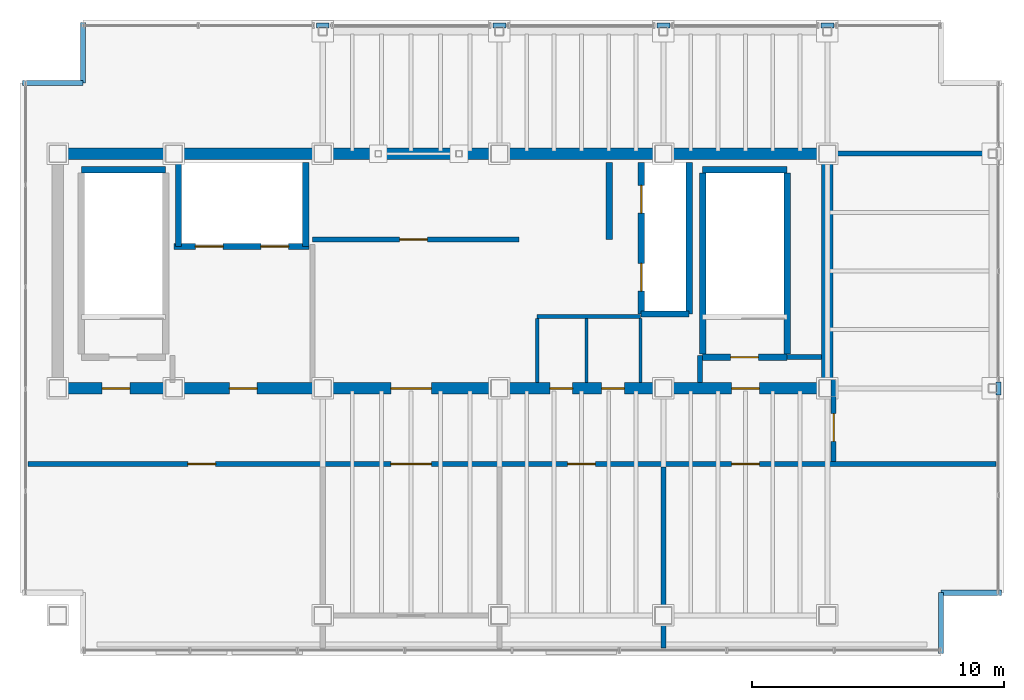
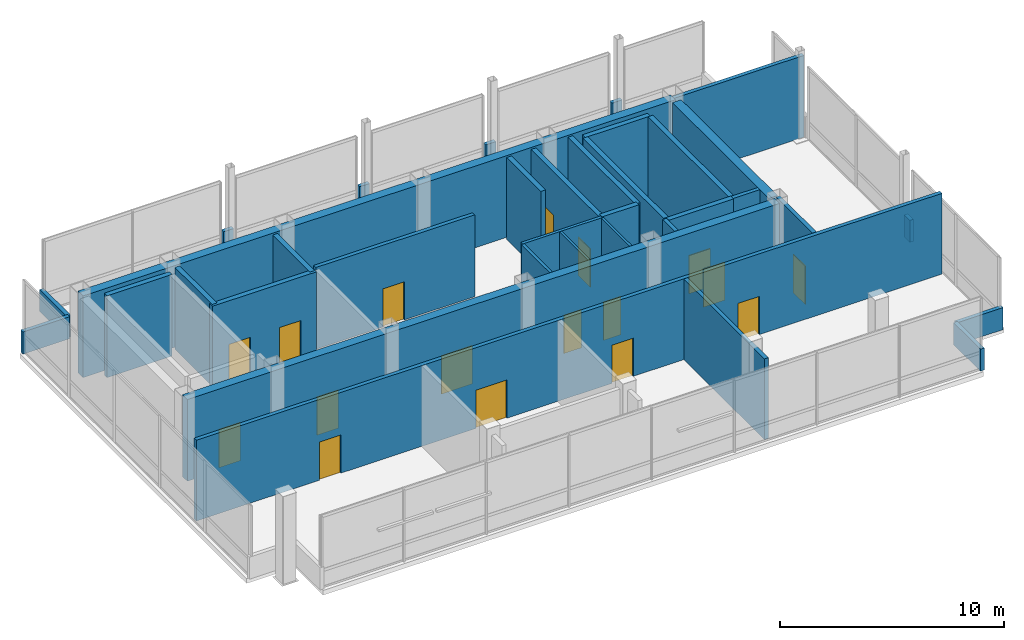
# One storey, part 18 of 20: 35 walls, 17 doors, 17 openings.
"""IFC4 building model written with IfcOpenShell, lengths in metres."""

from ifc_helpers import new_model, si_unit, direction, frame, frame_2d, origin, place, context, subcontext, project, spatial, rectangle, extrude, material, layer, layer_set, type_object, element, fill, save


model = new_model("IFC4")

# Units and contexts
model_context = context("Model", 3, precision=1e-05, world=origin(), true_north=direction((0.0, 1.0)))
body_context = subcontext(model_context, "Body", "Model", "MODEL_VIEW")
ifc_project = project(units=[si_unit("LENGTHUNIT", "METRE"), si_unit("AREAUNIT", "SQUARE_METRE"), si_unit("VOLUMEUNIT", "CUBIC_METRE"), si_unit("PLANEANGLEUNIT", "RADIAN"), si_unit("MASSUNIT", "GRAM", prefix="KILO")], contexts=[model_context])

# Site, building, storey
site_placement = place(None, origin())
site = spatial("IfcSite", under=ifc_project, at=site_placement, CompositionType="ELEMENT")
building_placement = place(site_placement, origin())
building = spatial("IfcBuilding", under=site, at=building_placement, Name="Noeulbin Bourse Tower", CompositionType="ELEMENT")
storey_placement = place(building_placement, frame((0.0, 0.0, 312.60009765625)))
storey = spatial("IfcBuildingStorey", under=building, at=storey_placement, Name="L77", CompositionType="ELEMENT", Elevation=312.60009765625)

# Wall, openings, doors
ifc_material_1 = material(Name="Concrete C50/60", Category="concrete")
ifc_layer_1 = layer(ifc_material_1, 0.449951171875)
ifc_layer_set_1 = layer_set([ifc_layer_1], Name="Concrete C50/60")
wall_type_1 = type_object("IfcWallType", Name="WAL-CORE-450", PredefinedType="SHEAR", material=ifc_layer_set_1)
wall_1_placement = place(storey_placement, frame((13.5, 29.0, 0.0), z_axis=(0.0, 0.0, 1.0), x_axis=(1.0, 0.0, 0.0)))
wall_1 = element("IfcWall", 1, at=wall_1_placement, inside=storey, type_object=wall_type_1, Name="Rear Core South Shear Wall L77", PredefinedType="SHEAR", context=body_context, shape_type="SweptSolid", body=[
    extrude(rectangle(XDim=30.5, YDim=0.449951171875, at=frame_2d((15.25, 0.0))), origin(), (0.0, 0.0, 1.0), 4.449951171875),
])
opening_1_placement = place(wall_1_placement, frame((1.75, 0.0, 0.0)))
opening_1 = element("IfcOpeningElement", 2, at=opening_1_placement, cuts=wall_1, Name="Opening FD-11", PredefinedType="OPENING", context=body_context, shape_type="SweptSolid", body=[
    extrude(rectangle(XDim=1.10009765625, YDim=2.080078125, at=frame_2d((0.550048828125, 1.0400390625))), frame((0.0, 0.23486328125, 0.0), z_axis=(0.0, -1.0, 0.0), x_axis=(1.0, 0.0, 0.0)), (0.0, 0.0, 1.0), 0.469970703125),
])
opening_2_placement = place(wall_1_placement, frame((26.699951171875, 0.0, 0.0)))
opening_2 = element("IfcOpeningElement", 3, at=opening_2_placement, cuts=wall_1, Name="Opening FD-11", PredefinedType="OPENING", context=body_context, shape_type="SweptSolid", body=[
    extrude(rectangle(XDim=1.10009765625, YDim=2.080078125, at=frame_2d((0.550048828125, 1.0400390625))), frame((0.0, 0.23486328125, 0.0), z_axis=(0.0, -1.0, 0.0), x_axis=(1.0, 0.0, 0.0)), (0.0, 0.0, 1.0), 0.469970703125),
])
opening_3_placement = place(wall_1_placement, frame((6.800048828125, 0.0, 0.0)))
opening_3 = element("IfcOpeningElement", 4, at=opening_3_placement, cuts=wall_1, Name="Opening FD-11", PredefinedType="OPENING", context=body_context, shape_type="SweptSolid", body=[
    extrude(rectangle(XDim=1.10009765625, YDim=2.080078125, at=frame_2d((0.550048828125, 1.0400390625))), frame((0.0, 0.23486328125, 0.0), z_axis=(0.0, -1.0, 0.0), x_axis=(1.0, 0.0, 0.0)), (0.0, 0.0, 1.0), 0.469970703125),
])
opening_4_placement = place(wall_1_placement, frame((13.199951171875, 0.0, 0.0)))
opening_4 = element("IfcOpeningElement", 5, at=opening_4_placement, cuts=wall_1, Name="Opening ID-16", PredefinedType="OPENING", context=body_context, shape_type="SweptSolid", body=[
    extrude(rectangle(XDim=1.60009765625, YDim=2.080078125, at=frame_2d((0.800048828125, 1.0400390625))), frame((0.0, 0.23486328125, 0.0), z_axis=(0.0, -1.0, 0.0), x_axis=(1.0, 0.0, 0.0)), (0.0, 0.0, 1.0), 0.469970703125),
])
opening_5_placement = place(wall_1_placement, frame((19.5, 0.0, 0.0)))
opening_5 = element("IfcOpeningElement", 6, at=opening_5_placement, cuts=wall_1, Name="Opening FD-09", PredefinedType="OPENING", context=body_context, shape_type="SweptSolid", body=[
    extrude(rectangle(XDim=0.89990234375, YDim=2.080078125, at=frame_2d((0.449951171875, 1.0400390625))), frame((0.0, 0.23486328125, 0.0), z_axis=(0.0, -1.0, 0.0), x_axis=(1.0, 0.0, 0.0)), (0.0, 0.0, 1.0), 0.469970703125),
])
opening_6_placement = place(wall_1_placement, frame((21.550048828125, 0.0, 0.0)))
opening_6 = element("IfcOpeningElement", 7, at=opening_6_placement, cuts=wall_1, Name="Opening FD-09", PredefinedType="OPENING", context=body_context, shape_type="SweptSolid", body=[
    extrude(rectangle(XDim=0.89990234375, YDim=2.080078125, at=frame_2d((0.449951171875, 1.0400390625))), frame((0.0, 0.23486328125, 0.0), z_axis=(0.0, -1.0, 0.0), x_axis=(1.0, 0.0, 0.0)), (0.0, 0.0, 1.0), 0.469970703125),
])
ifc_material_2 = material(Name="Acoustic Glazed Aluminium", Category="aluminium")
door_type_1 = type_object("IfcDoorType", Name="DR-DBL-1600", OperationType="DOUBLE_DOOR_SINGLE_SWING", PredefinedType="DOOR", material=ifc_material_2)
door_1_placement = place(opening_4_placement, origin())
door_1 = element("IfcDoor", 8, at=door_1_placement, inside=storey, type_object=door_type_1, Name="Passenger Lift Lobby Portal L77", OperationType="DOUBLE_DOOR_SINGLE_SWING", OverallHeight=2.080078125, OverallWidth=1.60009765625, PredefinedType="DOOR", context=body_context, shape_type="SweptSolid", body=[
    extrude(rectangle(XDim=1.60009765625, YDim=2.080078125, at=frame_2d((0.800048828125, 1.0400390625))), frame((0.0, 0.02490234375, 0.0), z_axis=(0.0, -1.0, 0.0), x_axis=(1.0, 0.0, 0.0)), (0.0, 0.0, 1.0), 0.050048828125),
])
fill(opening_4, door_1)
ifc_material_3 = material(Name="Fire-Rated Timber Core", Category="wood")
door_type_2 = type_object("IfcDoorType", Name="DR-FD30-900", OperationType="SINGLE_SWING_RIGHT", PredefinedType="DOOR", material=ifc_material_3)
door_2_placement = place(opening_5_placement, origin())
door_2 = element("IfcDoor", 9, at=door_2_placement, inside=storey, type_object=door_type_2, Name="Interior Door L77-06", OperationType="SINGLE_SWING_LEFT", OverallHeight=2.080078125, OverallWidth=0.89990234375, PredefinedType="DOOR", context=body_context, shape_type="SweptSolid", body=[
    extrude(rectangle(XDim=0.89990234375, YDim=2.080078125, at=frame_2d((0.449951171875, 1.0400390625))), frame((0.0, 0.02490234375, 0.0), z_axis=(0.0, -1.0, 0.0), x_axis=(1.0, 0.0, 0.0)), (0.0, 0.0, 1.0), 0.050048828125),
])
fill(opening_5, door_2)
door_3_placement = place(opening_6_placement, origin())
door_3 = element("IfcDoor", 10, at=door_3_placement, inside=storey, type_object=door_type_2, Name="Interior Door L77-07", OperationType="SINGLE_SWING_RIGHT", OverallHeight=2.080078125, OverallWidth=0.89990234375, PredefinedType="DOOR", context=body_context, shape_type="SweptSolid", body=[
    extrude(rectangle(XDim=0.89990234375, YDim=2.080078125, at=frame_2d((0.449951171875, 1.0400390625))), frame((0.0, 0.02490234375, 0.0), z_axis=(0.0, -1.0, 0.0), x_axis=(1.0, 0.0, 0.0)), (0.0, 0.0, 1.0), 0.050048828125),
])
fill(opening_6, door_3)
ifc_material_4 = material(Name="Fire-Rated Insulated Steel", Category="steel")
door_type_3 = type_object("IfcDoorType", Name="DR-FD60-1100", OperationType="SINGLE_SWING_LEFT", PredefinedType="DOOR", material=ifc_material_4)
door_4_placement = place(opening_1_placement, origin())
door_4 = element("IfcDoor", 11, at=door_4_placement, inside=storey, type_object=door_type_3, Name="West Stair Lobby Door L77", OperationType="SINGLE_SWING_RIGHT", OverallHeight=2.080078125, OverallWidth=1.10009765625, PredefinedType="DOOR", context=body_context, shape_type="SweptSolid", body=[
    extrude(rectangle(XDim=1.10009765625, YDim=2.080078125, at=frame_2d((0.550048828125, 1.0400390625))), frame((0.0, 0.02490234375, 0.0), z_axis=(0.0, -1.0, 0.0), x_axis=(1.0, 0.0, 0.0)), (0.0, 0.0, 1.0), 0.050048828125),
])
fill(opening_1, door_4)
door_5_placement = place(opening_2_placement, origin())
door_5 = element("IfcDoor", 12, at=door_5_placement, inside=storey, type_object=door_type_3, Name="East Stair Lobby Door L77", OperationType="SINGLE_SWING_LEFT", OverallHeight=2.080078125, OverallWidth=1.10009765625, PredefinedType="DOOR", context=body_context, shape_type="SweptSolid", body=[
    extrude(rectangle(XDim=1.10009765625, YDim=2.080078125, at=frame_2d((0.550048828125, 1.0400390625))), frame((0.0, 0.02490234375, 0.0), z_axis=(0.0, -1.0, 0.0), x_axis=(1.0, 0.0, 0.0)), (0.0, 0.0, 1.0), 0.050048828125),
])
fill(opening_2, door_5)
door_6_placement = place(opening_3_placement, origin())
door_6 = element("IfcDoor", 13, at=door_6_placement, inside=storey, type_object=door_type_3, Name="Firefighting Lobby Door L77", OperationType="SINGLE_SWING_RIGHT", OverallHeight=2.080078125, OverallWidth=1.10009765625, PredefinedType="DOOR", context=body_context, shape_type="SweptSolid", body=[
    extrude(rectangle(XDim=1.10009765625, YDim=2.080078125, at=frame_2d((0.550048828125, 1.0400390625))), frame((0.0, 0.02490234375, 0.0), z_axis=(0.0, -1.0, 0.0), x_axis=(1.0, 0.0, 0.0)), (0.0, 0.0, 1.0), 0.050048828125),
])
fill(opening_3, door_6)

# Walls
wall_2_placement = place(storey_placement, frame((13.5, 38.300048828125, 0.0), z_axis=(0.0, 0.0, 1.0), x_axis=(1.0, 0.0, 0.0)))
element("IfcWall", 14, at=wall_2_placement, inside=storey, type_object=wall_type_1, Name="Rear Core North Shear Wall L77", PredefinedType="SHEAR", context=body_context, shape_type="SweptSolid", body=[
    extrude(rectangle(XDim=30.5, YDim=0.449951171875, at=frame_2d((15.25, 0.0))), origin(), (0.0, 0.0, 1.0), 4.449951171875),
])
wall_3_placement = place(storey_placement, frame((44.0, 29.35009765625, 0.0), z_axis=(0.0, 0.0, 1.0), x_axis=(0.0, 1.0, 0.0)))
element("IfcWall", 15, at=wall_3_placement, inside=storey, type_object=wall_type_1, Name="Rear Core East Shear Wall L77", PredefinedType="SHEAR", context=body_context, shape_type="SweptSolid", body=[
    extrude(rectangle(XDim=8.599853515625, YDim=0.449951171875, at=frame_2d((4.2998046875, 0.0))), origin(), (0.0, 0.0, 1.0), 4.449951171875),
])
ifc_material_5 = material(Name="Concrete C40/50", Category="concrete")
ifc_layer_2 = layer(ifc_material_5, 0.199951171875)
ifc_layer_set_2 = layer_set([ifc_layer_2], Name="Concrete C40/50")
wall_type_2 = type_object("IfcWallType", Name="WAL-FIRE-200", PredefinedType="STANDARD", material=ifc_layer_set_2)
wall_4_placement = place(storey_placement, frame((42.39990234375, 30.239990234375, 0.0), z_axis=(0.0, 0.0, 1.0), x_axis=(1.0, 0.0, 0.0)))
element("IfcWall", 16, at=wall_4_placement, inside=storey, type_object=wall_type_2, Name="Interior Partition Wall L77-01", PredefinedType="STANDARD", context=body_context, shape_type="SweptSolid", body=[
    extrude(rectangle(XDim=1.364990234375, YDim=0.199951171875, at=frame_2d((0.6826171875, 0.0))), origin(), (0.0, 0.0, 1.0), 4.449951171875),
])

# Wall, opening, door
wall_5_placement = place(storey_placement, frame((23.60009765625, 34.89990234375, 0.0), z_axis=(0.0, 0.0, 1.0), x_axis=(1.0, 0.0, 0.0)))
wall_5 = element("IfcWall", 17, at=wall_5_placement, inside=storey, type_object=wall_type_2, Name="Interior Partition Wall L77-02", PredefinedType="STANDARD", context=body_context, shape_type="SweptSolid", body=[
    extrude(rectangle(XDim=8.179931640625, YDim=0.199951171875, at=frame_2d((4.08984375, 0.0))), origin(), (0.0, 0.0, 1.0), 4.449951171875),
])
opening_7_placement = place(wall_5_placement, frame((3.449951171875, 0.0, 0.0)))
opening_7 = element("IfcOpeningElement", 18, at=opening_7_placement, cuts=wall_5, Name="Opening FD-11", PredefinedType="OPENING", context=body_context, shape_type="SweptSolid", body=[
    extrude(rectangle(XDim=1.10009765625, YDim=2.080078125, at=frame_2d((0.550048828125, 1.0400390625))), frame((0.0, 0.10986328125, 0.0), z_axis=(0.0, -1.0, 0.0), x_axis=(1.0, 0.0, 0.0)), (0.0, 0.0, 1.0), 0.219970703125),
])
door_7_placement = place(opening_7_placement, origin())
door_7 = element("IfcDoor", 19, at=door_7_placement, inside=storey, type_object=door_type_3, Name="Telemetry Server Door L77", OperationType="SINGLE_SWING_RIGHT", OverallHeight=2.080078125, OverallWidth=1.10009765625, PredefinedType="DOOR", context=body_context, shape_type="SweptSolid", body=[
    extrude(rectangle(XDim=1.10009765625, YDim=2.080078125, at=frame_2d((0.550048828125, 1.0400390625))), frame((0.0, 0.02490234375, 0.0), z_axis=(0.0, -1.0, 0.0), x_axis=(1.0, 0.0, 0.0)), (0.0, 0.0, 1.0), 0.050048828125),
])
fill(opening_7, door_7)

# Wall, openings, doors
wall_6_placement = place(storey_placement, frame((12.31005859375, 26.0, 0.0), z_axis=(0.0, 0.0, 1.0), x_axis=(1.0, 0.0, 0.0)))
wall_6 = element("IfcWall", 20, at=wall_6_placement, inside=storey, type_object=wall_type_2, Name="Interior Partition Wall L77-04", PredefinedType="STANDARD", context=body_context, shape_type="SweptSolid", body=[
    extrude(rectangle(XDim=38.3798828125, YDim=0.199951171875, at=frame_2d((19.18994140625, 0.0))), origin(), (0.0, 0.0, 1.0), 4.396484375),
])
opening_8_placement = place(wall_6_placement, frame((6.340087890625, 0.0, 0.0)))
opening_8 = element("IfcOpeningElement", 21, at=opening_8_placement, cuts=wall_6, Name="Opening FD-11", PredefinedType="OPENING", context=body_context, shape_type="SweptSolid", body=[
    extrude(rectangle(XDim=1.10009765625, YDim=2.080078125, at=frame_2d((0.550048828125, 1.0400390625))), frame((0.0, 0.10986328125, 0.0), z_axis=(0.0, -1.0, 0.0), x_axis=(1.0, 0.0, 0.0)), (0.0, 0.0, 1.0), 0.219970703125),
])
opening_9_placement = place(wall_6_placement, frame((14.389892578125, 0.0, 0.0)))
opening_9 = element("IfcOpeningElement", 22, at=opening_9_placement, cuts=wall_6, Name="Opening ID-16", PredefinedType="OPENING", context=body_context, shape_type="SweptSolid", body=[
    extrude(rectangle(XDim=1.60009765625, YDim=2.080078125, at=frame_2d((0.800048828125, 1.0400390625))), frame((0.0, 0.10986328125, 0.0), z_axis=(0.0, -1.0, 0.0), x_axis=(1.0, 0.0, 0.0)), (0.0, 0.0, 1.0), 0.219970703125),
])
opening_10_placement = place(wall_6_placement, frame((21.389892578125, 0.0, 0.0)))
opening_10 = element("IfcOpeningElement", 23, at=opening_10_placement, cuts=wall_6, Name="Opening FD-11", PredefinedType="OPENING", context=body_context, shape_type="SweptSolid", body=[
    extrude(rectangle(XDim=1.10009765625, YDim=2.080078125, at=frame_2d((0.550048828125, 1.0400390625))), frame((0.0, 0.10986328125, 0.0), z_axis=(0.0, -1.0, 0.0), x_axis=(1.0, 0.0, 0.0)), (0.0, 0.0, 1.0), 0.219970703125),
])
opening_11_placement = place(wall_6_placement, frame((27.889892578125, 0.0, 0.0)))
opening_11 = element("IfcOpeningElement", 24, at=opening_11_placement, cuts=wall_6, Name="Opening FD-11", PredefinedType="OPENING", context=body_context, shape_type="SweptSolid", body=[
    extrude(rectangle(XDim=1.10009765625, YDim=2.080078125, at=frame_2d((0.550048828125, 1.0400390625))), frame((0.0, 0.10986328125, 0.0), z_axis=(0.0, -1.0, 0.0), x_axis=(1.0, 0.0, 0.0)), (0.0, 0.0, 1.0), 0.219970703125),
])
door_8_placement = place(opening_9_placement, origin())
door_8 = element("IfcDoor", 25, at=door_8_placement, inside=storey, type_object=door_type_1, Name="Interior Door L77-10", OperationType="DOUBLE_DOOR_SINGLE_SWING", OverallHeight=2.080078125, OverallWidth=1.60009765625, PredefinedType="DOOR", context=body_context, shape_type="SweptSolid", body=[
    extrude(rectangle(XDim=1.60009765625, YDim=2.080078125, at=frame_2d((0.800048828125, 1.0400390625))), frame((0.0, 0.02490234375, 0.0), z_axis=(0.0, -1.0, 0.0), x_axis=(1.0, 0.0, 0.0)), (0.0, 0.0, 1.0), 0.050048828125),
])
fill(opening_9, door_8)
door_9_placement = place(opening_8_placement, origin())
door_9 = element("IfcDoor", 26, at=door_9_placement, inside=storey, type_object=door_type_3, Name="Interior Door L77-09", OperationType="SINGLE_SWING_RIGHT", OverallHeight=2.080078125, OverallWidth=1.10009765625, PredefinedType="DOOR", context=body_context, shape_type="SweptSolid", body=[
    extrude(rectangle(XDim=1.10009765625, YDim=2.080078125, at=frame_2d((0.550048828125, 1.0400390625))), frame((0.0, 0.02490234375, 0.0), z_axis=(0.0, -1.0, 0.0), x_axis=(1.0, 0.0, 0.0)), (0.0, 0.0, 1.0), 0.050048828125),
])
fill(opening_8, door_9)
door_10_placement = place(opening_10_placement, origin())
door_10 = element("IfcDoor", 27, at=door_10_placement, inside=storey, type_object=door_type_3, Name="Interior Door L77-11", OperationType="SINGLE_SWING_RIGHT", OverallHeight=2.080078125, OverallWidth=1.10009765625, PredefinedType="DOOR", context=body_context, shape_type="SweptSolid", body=[
    extrude(rectangle(XDim=1.10009765625, YDim=2.080078125, at=frame_2d((0.550048828125, 1.0400390625))), frame((0.0, 0.02490234375, 0.0), z_axis=(0.0, -1.0, 0.0), x_axis=(1.0, 0.0, 0.0)), (0.0, 0.0, 1.0), 0.050048828125),
])
fill(opening_10, door_10)
door_11_placement = place(opening_11_placement, origin())
door_11 = element("IfcDoor", 28, at=door_11_placement, inside=storey, type_object=door_type_3, Name="Interior Door L77-12", OperationType="SINGLE_SWING_LEFT", OverallHeight=2.080078125, OverallWidth=1.10009765625, PredefinedType="DOOR", context=body_context, shape_type="SweptSolid", body=[
    extrude(rectangle(XDim=1.10009765625, YDim=2.080078125, at=frame_2d((0.550048828125, 1.0400390625))), frame((0.0, 0.02490234375, 0.0), z_axis=(0.0, -1.0, 0.0), x_axis=(1.0, 0.0, 0.0)), (0.0, 0.0, 1.0), 0.050048828125),
])
fill(opening_11, door_11)

# Walls
wall_7_placement = place(storey_placement, frame((44.0, 38.300048828125, 0.0), z_axis=(0.0, 0.0, 1.0), x_axis=(1.0, 0.0, 0.0)))
element("IfcWall", 29, at=wall_7_placement, inside=storey, type_object=wall_type_2, Name="Interior Partition Wall L77-05", PredefinedType="STANDARD", context=body_context, shape_type="SweptSolid", body=[
    extrude(rectangle(XDim=6.68994140625, YDim=0.199951171875, at=frame_2d((3.344970703125, 0.0))), origin(), (0.0, 0.0, 1.0), 4.449951171875),
])
wall_8_placement = place(storey_placement, frame((38.949951171875, 29.235107421875, 0.0), z_axis=(0.0, 0.0, 1.0), x_axis=(0.0, 1.0, 0.0)))
element("IfcWall", 30, at=wall_8_placement, inside=storey, type_object=wall_type_2, Name="Interior Partition Wall L77-08", PredefinedType="STANDARD", context=body_context, shape_type="SweptSolid", body=[
    extrude(rectangle(XDim=1.06494140625, YDim=0.199951171875, at=frame_2d((0.532470703125, 0.0))), origin(), (0.0, 0.0, 1.0), 4.449951171875),
])

# Wall, opening, door
wall_9_placement = place(storey_placement, frame((44.25, 26.110107421875, 0.0), z_axis=(0.0, 0.0, 1.0), x_axis=(0.0, 1.0, 0.0)))
wall_9 = element("IfcWall", 31, at=wall_9_placement, inside=storey, type_object=wall_type_2, Name="Interior Partition Wall L77-13", PredefinedType="STANDARD", context=body_context, shape_type="SweptSolid", body=[
    extrude(rectangle(XDim=3.239990234375, YDim=0.199951171875, at=frame_2d((1.6201171875, 0.0))), origin(), (0.0, 0.0, 1.0), 4.396484375),
])
opening_12_placement = place(wall_9_placement, frame((0.7900390625, 0.0, 0.0)))
opening_12 = element("IfcOpeningElement", 32, at=opening_12_placement, cuts=wall_9, Name="Opening FD-11", PredefinedType="OPENING", context=body_context, shape_type="SweptSolid", body=[
    extrude(rectangle(XDim=1.10009765625, YDim=2.080078125, at=frame_2d((0.550048828125, 1.0400390625))), frame((0.0, 0.10986328125, 0.0), z_axis=(0.0, -1.0, 0.0), x_axis=(1.0, 0.0, 0.0)), (0.0, 0.0, 1.0), 0.219970703125),
])
door_12_placement = place(opening_12_placement, origin())
door_12 = element("IfcDoor", 33, at=door_12_placement, inside=storey, type_object=door_type_3, Name="Interior Door L77-08", OperationType="SINGLE_SWING_LEFT", OverallHeight=2.080078125, OverallWidth=1.10009765625, PredefinedType="DOOR", context=body_context, shape_type="SweptSolid", body=[
    extrude(rectangle(XDim=1.10009765625, YDim=2.080078125, at=frame_2d((0.550048828125, 1.0400390625))), frame((0.0, 0.02490234375, 0.0), z_axis=(0.0, -1.0, 0.0), x_axis=(1.0, 0.0, 0.0)), (0.0, 0.0, 1.0), 0.050048828125),
])
fill(opening_12, door_12)

# Walls
wall_10_placement = place(storey_placement, frame((37.5, 18.7099609375, 0.0), z_axis=(0.0, 0.0, 1.0), x_axis=(0.0, 1.0, 0.0)))
element("IfcWall", 34, at=wall_10_placement, inside=storey, type_object=wall_type_2, Name="Interior Partition Wall L77-16", PredefinedType="STANDARD", context=body_context, shape_type="SweptSolid", body=[
    extrude(rectangle(XDim=7.179931640625, YDim=0.199951171875, at=frame_2d((3.58984375, 0.0))), origin(), (0.0, 0.0, 1.0), 4.396484375),
])
ifc_layer_3 = layer(ifc_material_5, 0.199951171875)
ifc_layer_set_3 = layer_set([ifc_layer_3], Name="Concrete C40/50")
wall_type_3 = type_object("IfcWallType", Name="WAL-PAR-200", PredefinedType="PARAPET", material=ifc_layer_set_3)
for number, where, z_axis, x_axis, name in (
    (35, (23.7451171875, 43.3798828125, 0.0), (0.0, 0.0, 1.0), (1.0, 0.0, 0.0), "Perimeter Pier Spandrel Parapet L77-N1"),
    (36, (30.7451171875, 43.3798828125, 0.0), (0.0, 0.0, 1.0), (1.0, 0.0, 0.0), "Perimeter Pier Spandrel Parapet L77-N2"),
    (37, (37.2451171875, 43.3798828125, 0.0), (0.0, 0.0, 1.0), (1.0, 0.0, 0.0), "Perimeter Pier Spandrel Parapet L77-N3"),
    (38, (43.7451171875, 43.3798828125, 0.0), (0.0, 0.0, 1.0), (1.0, 0.0, 0.0), "Perimeter Pier Spandrel Parapet L77-N4"),
    (39, (50.780029296875, 28.7451171875, 0.0), (0.0, 0.0, 1.0), (0.0, 1.0, 0.0), "Perimeter Pier Spandrel Parapet L77-E5"),
):
    element("IfcWall", number, at=place(storey_placement, frame(where, z_axis=z_axis, x_axis=x_axis)), inside=storey, type_object=wall_type_3, Name=name, PredefinedType="PARAPET", context=body_context, shape_type="SweptSolid", body=[
        extrude(rectangle(XDim=0.509765625, YDim=0.199951171875, at=frame_2d((0.2548828125, 0.0))), origin(), (0.0, 0.0, 1.0), 1.199951171875),
    ])
for number, where, z_axis, x_axis, name in (
    (40, (48.5, 18.5, 0.0), (0.0, 0.0, 1.0), (0.0, 1.0, 0.0), "Corner Notch Parapet L77-SE1"),
    (41, (48.5, 20.89990234375, 0.0), (0.0, 0.0, 1.0), (1.0, 0.0, 0.0), "Corner Notch Parapet L77-SE2"),
    (42, (12.10009765625, 41.10009765625, 0.0), (0.0, 0.0, 1.0), (1.0, 0.0, 0.0), "Corner Notch Parapet L77-NW1"),
    (43, (14.5, 41.10009765625, 0.0), (0.0, 0.0, 1.0), (0.0, 1.0, 0.0), "Corner Notch Parapet L77-NW2"),
):
    element("IfcWall", number, at=place(storey_placement, frame(where, z_axis=z_axis, x_axis=x_axis)), inside=storey, type_object=wall_type_3, Name=name, PredefinedType="PARAPET", context=body_context, shape_type="SweptSolid", body=[
        extrude(rectangle(XDim=2.39990234375, YDim=0.199951171875, at=frame_2d((1.199951171875, 0.0))), origin(), (0.0, 0.0, 1.0), 1.199951171875),
    ])
ifc_material_6 = material(Name="Steel Stud Gypsum Partition", Category="steel")
ifc_layer_4 = layer(ifc_material_6, 0.1201171875)
ifc_layer_set_4 = layer_set([ifc_layer_4], Name="Steel Stud Gypsum Partition")
wall_type_4 = type_object("IfcWallType", Name="WAL-PRT-120", PredefinedType="PARTITIONING", material=ifc_layer_set_4)
for number, where, z_axis, x_axis, name in (
    (44, (36.60009765625, 29.235107421875, 0.0), (0.0, 0.0, 1.0), (0.0, 1.0, 0.0), "Interior Partition Wall L77-11"),
    (45, (34.449951171875, 29.235107421875, 0.0), (0.0, 0.0, 1.0), (0.0, 1.0, 0.0), "Interior Partition Wall L77-12"),
):
    element("IfcWall", number, at=place(storey_placement, frame(where, z_axis=z_axis, x_axis=x_axis)), inside=storey, type_object=wall_type_4, Name=name, PredefinedType="PARTITIONING", context=body_context, shape_type="SweptSolid", body=[
        extrude(rectangle(XDim=2.52978515625, YDim=0.1201171875, at=frame_2d((1.264892578125, 0.0))), origin(), (0.0, 0.0, 1.0), 4.449951171875),
    ])
ifc_material_7 = material(Name="Steel Stud Acoustic Gypsum Board", Category="steel")
ifc_layer_5 = layer(ifc_material_7, 0.14990234375)
ifc_layer_set_5 = layer_set([ifc_layer_5], Name="Steel Stud Acoustic Gypsum Board")
wall_type_5 = type_object("IfcWallType", Name="WAL-PRT-150", PredefinedType="PARTITIONING", material=ifc_layer_set_5)
wall_11_placement = place(storey_placement, frame((32.5, 31.85009765625, 0.0), z_axis=(0.0, 0.0, 1.0), x_axis=(1.0, 0.0, 0.0)))
element("IfcWall", 46, at=wall_11_placement, inside=storey, type_object=wall_type_5, Name="Interior Partition Wall L77-03", PredefinedType="PARTITIONING", context=body_context, shape_type="SweptSolid", body=[
    extrude(rectangle(XDim=4.10009765625, YDim=0.14990234375, at=frame_2d((2.050048828125, 0.0))), origin(), (0.0, 0.0, 1.0), 4.449951171875),
])
wall_12_placement = place(storey_placement, frame((32.5, 29.235107421875, 0.0), z_axis=(0.0, 0.0, 1.0), x_axis=(0.0, 1.0, 0.0)))
element("IfcWall", 47, at=wall_12_placement, inside=storey, type_object=wall_type_5, Name="Interior Partition Wall L77-10", PredefinedType="PARTITIONING", context=body_context, shape_type="SweptSolid", body=[
    extrude(rectangle(XDim=2.52978515625, YDim=0.14990234375, at=frame_2d((1.264892578125, 0.0))), origin(), (0.0, 0.0, 1.0), 4.449951171875),
])
ifc_layer_6 = layer(ifc_material_5, 0.25)
ifc_layer_set_6 = layer_set([ifc_layer_6], Name="Concrete C40/50")
wall_type_6 = type_object("IfcWallType", Name="WAL-SHFT-250", PredefinedType="STANDARD", material=ifc_layer_set_6)
wall_13_placement = place(storey_placement, frame((14.429931640625, 37.6689453125, 0.0), z_axis=(0.0, 0.0, 1.0), x_axis=(1.0, 0.0, 0.0)))
element("IfcWall", 48, at=wall_13_placement, inside=storey, type_object=wall_type_6, Name="Stair ST-1 North Shaft Wall L77", PredefinedType="STANDARD", context=body_context, shape_type="SweptSolid", body=[
    extrude(rectangle(XDim=3.340087890625, YDim=0.25, at=frame_2d((1.669921875, 0.0))), origin(), (0.0, 0.0, 1.0), 4.449951171875),
])

# Wall, opening, door
wall_14_placement = place(storey_placement, frame((39.06005859375, 30.235107421875, 0.0), z_axis=(0.0, 0.0, 1.0), x_axis=(1.0, 0.0, 0.0)))
wall_14 = element("IfcWall", 49, at=wall_14_placement, inside=storey, type_object=wall_type_6, Name="Stair ST-2 South Shaft Wall L77", PredefinedType="STANDARD", context=body_context, shape_type="SweptSolid", body=[
    extrude(rectangle(XDim=3.33984375, YDim=0.25, at=frame_2d((1.669921875, 0.0))), origin(), (0.0, 0.0, 1.0), 4.449951171875),
])
opening_13_placement = place(wall_14_placement, frame((1.10009765625, 0.0, 0.0)))
opening_13 = element("IfcOpeningElement", 50, at=opening_13_placement, cuts=wall_14, Name="Opening FD-11", PredefinedType="OPENING", context=body_context, shape_type="SweptSolid", body=[
    extrude(rectangle(XDim=1.10009765625, YDim=2.080078125, at=frame_2d((0.550048828125, 1.0400390625))), frame((0.0, 0.135009765625, 0.0), z_axis=(0.0, -1.0, 0.0), x_axis=(1.0, 0.0, 0.0)), (0.0, 0.0, 1.0), 0.27001953125),
])
door_13_placement = place(opening_13_placement, origin())
door_13 = element("IfcDoor", 51, at=door_13_placement, inside=storey, type_object=door_type_3, Name="Protected Stair Entry Door ST2-L77", OperationType="SINGLE_SWING_LEFT", OverallHeight=2.080078125, OverallWidth=1.10009765625, PredefinedType="DOOR", context=body_context, shape_type="SweptSolid", body=[
    extrude(rectangle(XDim=1.10009765625, YDim=2.080078125, at=frame_2d((0.550048828125, 1.0400390625))), frame((0.0, 0.02490234375, 0.0), z_axis=(0.0, -1.0, 0.0), x_axis=(1.0, 0.0, 0.0)), (0.0, 0.0, 1.0), 0.050048828125),
])
fill(opening_13, door_13)

# Walls
wall_15_placement = place(storey_placement, frame((39.06005859375, 37.6689453125, 0.0), z_axis=(0.0, 0.0, 1.0), x_axis=(1.0, 0.0, 0.0)))
element("IfcWall", 52, at=wall_15_placement, inside=storey, type_object=wall_type_6, Name="Stair ST-2 North Shaft Wall L77", PredefinedType="STANDARD", context=body_context, shape_type="SweptSolid", body=[
    extrude(rectangle(XDim=3.33984375, YDim=0.25, at=frame_2d((1.669921875, 0.0))), origin(), (0.0, 0.0, 1.0), 4.449951171875),
])
for number, where, z_axis, x_axis, name in (
    (53, (39.054931640625, 30.360107421875, 0.0), (0.0, 0.0, 1.0), (0.0, 1.0, 0.0), "Stair ST-2 West Shaft Wall L77"),
    (54, (42.405029296875, 30.360107421875, 0.0), (0.0, 0.0, 1.0), (0.0, 1.0, 0.0), "Stair ST-2 East Shaft Wall L77"),
):
    element("IfcWall", number, at=place(storey_placement, frame(where, z_axis=z_axis, x_axis=x_axis)), inside=storey, type_object=wall_type_6, Name=name, PredefinedType="STANDARD", context=body_context, shape_type="SweptSolid", body=[
        extrude(rectangle(XDim=7.183837890625, YDim=0.25, at=frame_2d((3.591796875, 0.0))), origin(), (0.0, 0.0, 1.0), 4.449951171875),
    ])

# Wall, openings, doors
wall_16_placement = place(storey_placement, frame((18.10009765625, 34.6201171875, 0.0), z_axis=(0.0, 0.0, 1.0), x_axis=(1.0, 0.0, 0.0)))
wall_16 = element("IfcWall", 55, at=wall_16_placement, inside=storey, type_object=wall_type_6, Name="Firefighting Lift Shaft Front L77", PredefinedType="STANDARD", context=body_context, shape_type="SweptSolid", body=[
    extrude(rectangle(XDim=5.349853515625, YDim=0.25, at=frame_2d((2.6748046875, 0.0))), origin(), (0.0, 0.0, 1.0), 4.449951171875),
])
opening_14_placement = place(wall_16_placement, frame((0.85009765625, 0.0, 0.0)))
opening_14 = element("IfcOpeningElement", 56, at=opening_14_placement, cuts=wall_16, Name="Opening LD-11", PredefinedType="OPENING", context=body_context, shape_type="SweptSolid", body=[
    extrude(rectangle(XDim=1.10009765625, YDim=2.080078125, at=frame_2d((0.550048828125, 1.0400390625))), frame((0.0, 0.135009765625, 0.0), z_axis=(0.0, -1.0, 0.0), x_axis=(1.0, 0.0, 0.0)), (0.0, 0.0, 1.0), 0.27001953125),
])
opening_15_placement = place(wall_16_placement, frame((3.449951171875, 0.0, 0.0)))
opening_15 = element("IfcOpeningElement", 57, at=opening_15_placement, cuts=wall_16, Name="Opening LD-11", PredefinedType="OPENING", context=body_context, shape_type="SweptSolid", body=[
    extrude(rectangle(XDim=1.10009765625, YDim=2.080078125, at=frame_2d((0.550048828125, 1.0400390625))), frame((0.0, 0.135009765625, 0.0), z_axis=(0.0, -1.0, 0.0), x_axis=(1.0, 0.0, 0.0)), (0.0, 0.0, 1.0), 0.27001953125),
])
ifc_material_8 = material(Name="Brushed Stainless Steel 316", Category="steel")
door_type_4 = type_object("IfcDoorType", Name="DR-LIFT-1100", OperationType="SLIDING_TO_LEFT", PredefinedType="DOOR", material=ifc_material_8)
door_14_placement = place(opening_14_placement, origin())
door_14 = element("IfcDoor", 58, at=door_14_placement, inside=storey, type_object=door_type_4, Name="Lift Landing Door LD-FL-01-L77", OperationType="SLIDING_TO_LEFT", OverallHeight=2.080078125, OverallWidth=1.10009765625, PredefinedType="DOOR", context=body_context, shape_type="SweptSolid", body=[
    extrude(rectangle(XDim=1.10009765625, YDim=2.080078125, at=frame_2d((0.550048828125, 1.0400390625))), frame((0.0, 0.02490234375, 0.0), z_axis=(0.0, -1.0, 0.0), x_axis=(1.0, 0.0, 0.0)), (0.0, 0.0, 1.0), 0.050048828125),
])
fill(opening_14, door_14)
door_15_placement = place(opening_15_placement, origin())
door_15 = element("IfcDoor", 59, at=door_15_placement, inside=storey, type_object=door_type_4, Name="Lift Landing Door LD-FL-02-L77", OperationType="SLIDING_TO_LEFT", OverallHeight=2.080078125, OverallWidth=1.10009765625, PredefinedType="DOOR", context=body_context, shape_type="SweptSolid", body=[
    extrude(rectangle(XDim=1.10009765625, YDim=2.080078125, at=frame_2d((0.550048828125, 1.0400390625))), frame((0.0, 0.02490234375, 0.0), z_axis=(0.0, -1.0, 0.0), x_axis=(1.0, 0.0, 0.0)), (0.0, 0.0, 1.0), 0.050048828125),
])
fill(opening_15, door_15)

wall_17_placement = place(storey_placement, frame((36.6201171875, 31.949951171875, 0.0), z_axis=(0.0, 0.0, 1.0), x_axis=(0.0, 1.0, 0.0)))
wall_17 = element("IfcWall", 60, at=wall_17_placement, inside=storey, type_object=wall_type_6, Name="Service Lift Shaft Wall L77", PredefinedType="STANDARD", context=body_context, shape_type="SweptSolid", body=[
    extrude(rectangle(XDim=6.0, YDim=0.25, at=frame_2d((3.0, 0.0))), origin(), (0.0, 0.0, 1.0), 4.449951171875),
])
opening_16_placement = place(wall_17_placement, frame((0.89990234375, 0.0, 0.0)))
opening_16 = element("IfcOpeningElement", 61, at=opening_16_placement, cuts=wall_17, Name="Opening LD-11", PredefinedType="OPENING", context=body_context, shape_type="SweptSolid", body=[
    extrude(rectangle(XDim=1.10009765625, YDim=2.080078125, at=frame_2d((0.550048828125, 1.0400390625))), frame((0.0, 0.135009765625, 0.0), z_axis=(0.0, -1.0, 0.0), x_axis=(1.0, 0.0, 0.0)), (0.0, 0.0, 1.0), 0.27001953125),
])
opening_17_placement = place(wall_17_placement, frame((4.0, 0.0, 0.0)))
opening_17 = element("IfcOpeningElement", 62, at=opening_17_placement, cuts=wall_17, Name="Opening LD-11", PredefinedType="OPENING", context=body_context, shape_type="SweptSolid", body=[
    extrude(rectangle(XDim=1.10009765625, YDim=2.080078125, at=frame_2d((0.550048828125, 1.0400390625))), frame((0.0, 0.135009765625, 0.0), z_axis=(0.0, -1.0, 0.0), x_axis=(1.0, 0.0, 0.0)), (0.0, 0.0, 1.0), 0.27001953125),
])
door_16_placement = place(opening_16_placement, origin())
door_16 = element("IfcDoor", 63, at=door_16_placement, inside=storey, type_object=door_type_4, Name="Lift Landing Door LD-EL-01-L77", OperationType="SLIDING_TO_LEFT", OverallHeight=2.080078125, OverallWidth=1.10009765625, PredefinedType="DOOR", context=body_context, shape_type="SweptSolid", body=[
    extrude(rectangle(XDim=1.10009765625, YDim=2.080078125, at=frame_2d((0.550048828125, 1.0400390625))), frame((0.0, 0.02490234375, 0.0), z_axis=(0.0, -1.0, 0.0), x_axis=(1.0, 0.0, 0.0)), (0.0, 0.0, 1.0), 0.050048828125),
])
fill(opening_16, door_16)
door_17_placement = place(opening_17_placement, origin())
door_17 = element("IfcDoor", 64, at=door_17_placement, inside=storey, type_object=door_type_4, Name="Lift Landing Door LD-SV-01-L77", OperationType="SLIDING_TO_LEFT", OverallHeight=2.080078125, OverallWidth=1.10009765625, PredefinedType="DOOR", context=body_context, shape_type="SweptSolid", body=[
    extrude(rectangle(XDim=1.10009765625, YDim=2.080078125, at=frame_2d((0.550048828125, 1.0400390625))), frame((0.0, 0.02490234375, 0.0), z_axis=(0.0, -1.0, 0.0), x_axis=(1.0, 0.0, 0.0)), (0.0, 0.0, 1.0), 0.050048828125),
])
fill(opening_17, door_17)

# Walls
wall_18_placement = place(storey_placement, frame((38.52001953125, 31.949951171875, 0.0), z_axis=(0.0, 0.0, 1.0), x_axis=(0.0, 1.0, 0.0)))
element("IfcWall", 65, at=wall_18_placement, inside=storey, type_object=wall_type_6, Name="Service Lift East Shaft Wall L77", PredefinedType="STANDARD", context=body_context, shape_type="SweptSolid", body=[
    extrude(rectangle(XDim=6.0, YDim=0.25, at=frame_2d((3.0, 0.0))), origin(), (0.0, 0.0, 1.0), 4.449951171875),
])
wall_19_placement = place(storey_placement, frame((36.6201171875, 31.949951171875, 0.0), z_axis=(0.0, 0.0, 1.0), x_axis=(1.0, 0.0, 0.0)))
element("IfcWall", 66, at=wall_19_placement, inside=storey, type_object=wall_type_6, Name="Service Lift South Shaft Wall L77", PredefinedType="STANDARD", context=body_context, shape_type="SweptSolid", body=[
    extrude(rectangle(XDim=1.89990234375, YDim=0.25, at=frame_2d((0.949951171875, 0.0))), origin(), (0.0, 0.0, 1.0), 4.449951171875),
])
for number, where, z_axis, x_axis, name in (
    (67, (18.280029296875, 34.6201171875, 0.0), (0.0, 0.0, 1.0), (0.0, 1.0, 0.0), "Firefighting Lift West Shaft Wall L77"),
    (68, (23.320068359375, 34.6201171875, 0.0), (0.0, 0.0, 1.0), (0.0, 1.0, 0.0), "Firefighting Lift East Shaft Wall L77"),
):
    element("IfcWall", number, at=place(storey_placement, frame(where, z_axis=z_axis, x_axis=x_axis)), inside=storey, type_object=wall_type_6, Name=name, PredefinedType="STANDARD", context=body_context, shape_type="SweptSolid", body=[
        extrude(rectangle(XDim=3.329833984375, YDim=0.25, at=frame_2d((1.6650390625, 0.0))), origin(), (0.0, 0.0, 1.0), 4.449951171875),
    ])
wall_20_placement = place(storey_placement, frame((35.360107421875, 34.89990234375, 0.0), z_axis=(0.0, 0.0, 1.0), x_axis=(0.0, 1.0, 0.0)))
element("IfcWall", 69, at=wall_20_placement, inside=storey, type_object=wall_type_6, Name="High-Rise Lift East Shaft Wall L77", PredefinedType="STANDARD", context=body_context, shape_type="SweptSolid", body=[
    extrude(rectangle(XDim=3.050048828125, YDim=0.25, at=frame_2d((1.52490234375, 0.0))), origin(), (0.0, 0.0, 1.0), 4.449951171875),
])

save(model, "model.ifc")
